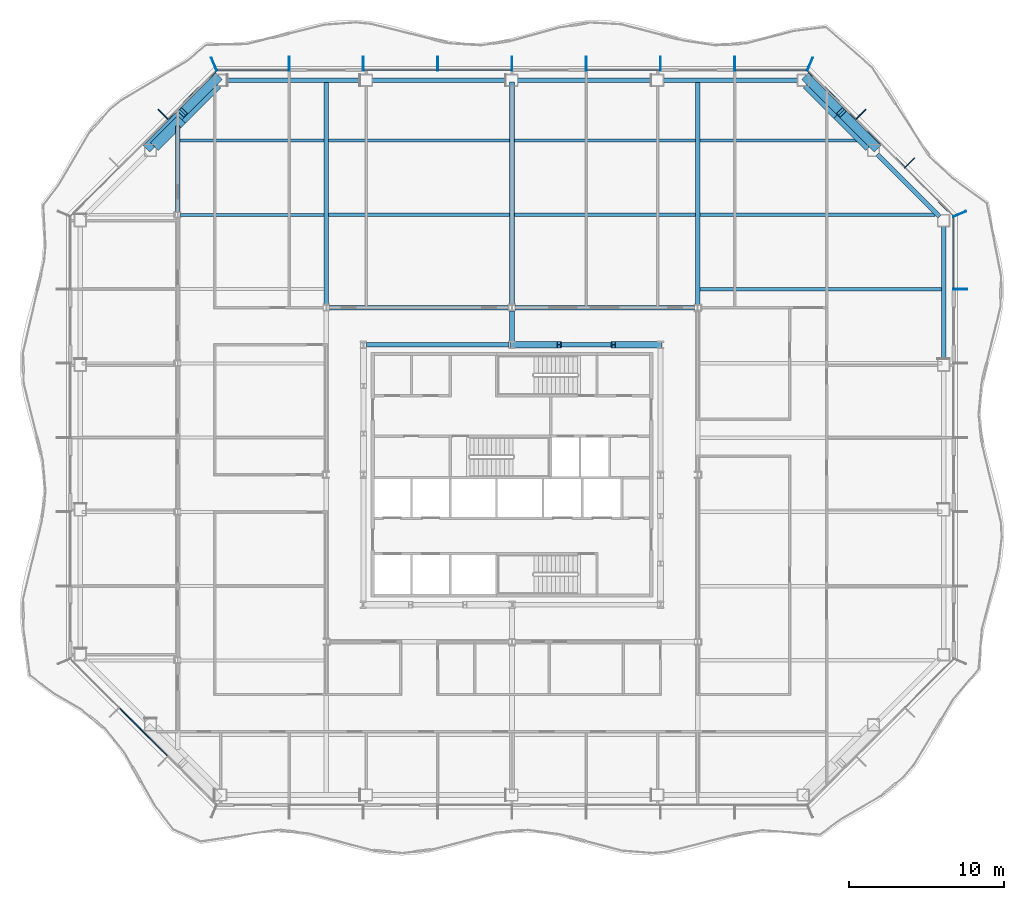
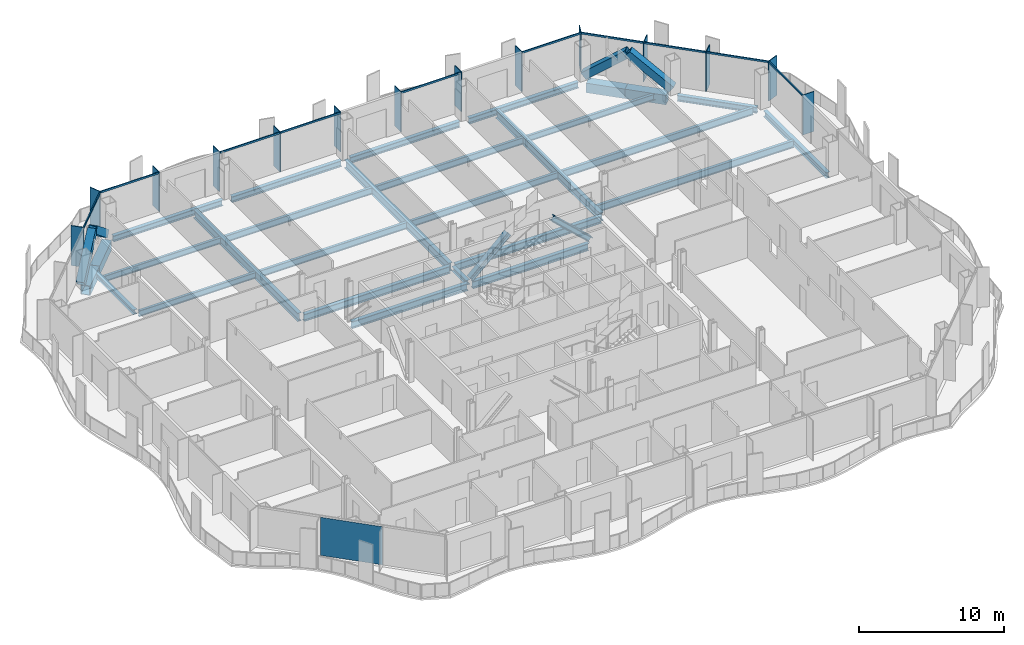
# One storey, part 5 of 23: 30 members, 28 beams, 1 plate, 5 elements without a shape of their own.
"""IFC4 building model written with IfcOpenShell, lengths in metres."""

import ifcopenshell
import ifcopenshell.guid

model = None  # the IFC model being written
_history = None  # IfcOwnerHistory: only IFC2X3 demands one
_inside = {}  # id of a spatial element -> (the spatial element, [elements in it])
_under = {}  # id of a project, library or spatial element -> (it, [spatial elements below it])
_declared = {}  # id of a project -> (the project, [libraries it declares])
_typed = {}  # id of a type object -> (the type object, [elements of that type])
_made_of = {}  # id of a material, layer set ... -> (it, [elements and type objects made of it])


def new_model(schema):
    """Start an empty IFC model of exactly this schema.

    Asked for "IFC4X3", IfcOpenShell would pick the latest addendum, in which some entities
    have other attributes; the version numbers below select the first issue.
    IFC2X3 requires an IfcOwnerHistory on every rooted entity: one is made here for all.
    """
    global model, _history
    if schema == "IFC4X3":
        model = ifcopenshell.file(schema_version=(4, 3, 0, 0))
    else:
        model = ifcopenshell.file(schema=schema)
    _inside.clear()
    _under.clear()
    _declared.clear()
    _typed.clear()
    _made_of.clear()
    _history = None
    if model.schema == "IFC2X3":
        org = make("IfcOrganization", Name="unknown")
        user = make(
            "IfcPersonAndOrganization",
            ThePerson=make("IfcPerson", FamilyName="unknown"),
            TheOrganization=org,
        )
        app = make(
            "IfcApplication",
            ApplicationDeveloper=org,
            Version="unknown",
            ApplicationFullName="unknown",
            ApplicationIdentifier="unknown",
        )
        _history = make(
            "IfcOwnerHistory",
            OwningUser=user,
            OwningApplication=app,
            ChangeAction="ADDED",
            CreationDate=0,
        )
    return model


def make(cls, **values):
    """One entity of the class cls with the attributes given. An attribute that is None is left unset."""
    return model.create_entity(
        cls, **{name: value for name, value in values.items() if value is not None}
    )


def rooted(cls, **values):
    """An entity with a GlobalId (a new one), such as an element, a storey or a relation."""
    return make(cls, GlobalId=ifcopenshell.guid.new(), OwnerHistory=_history, **values)


def si_unit(unit_type, name, prefix=None):
    """IfcSIUnit, for example si_unit("LENGTHUNIT", "METRE", prefix="MILLI")."""
    return make("IfcSIUnit", UnitType=unit_type, Prefix=prefix, Name=name)


def assignment(units):
    """IfcUnitAssignment: the units of a project."""
    return None if units is None else make("IfcUnitAssignment", Units=units)


def point(xyz):
    """IfcCartesianPoint."""
    return None if xyz is None else make("IfcCartesianPoint", Coordinates=xyz)


def direction(xyz):
    """IfcDirection."""
    return None if xyz is None else make("IfcDirection", DirectionRatios=xyz)


def frame(location, z_axis=None, x_axis=None):
    """IfcAxis2Placement3D, a coordinate frame: its origin and axes. An axis left out is left unset."""
    return make(
        "IfcAxis2Placement3D",
        Location=point(location),
        Axis=direction(z_axis),
        RefDirection=direction(x_axis),
    )


def frame_2d(location, x_axis=None):
    """IfcAxis2Placement2D, a coordinate frame in the plane: its origin and x axis."""
    return make(
        "IfcAxis2Placement2D", Location=point(location), RefDirection=direction(x_axis)
    )


def origin():
    """The frame at (0, 0, 0) with its axes left unset."""
    return frame((0.0, 0.0, 0.0))


def origin_2d():
    """The frame at (0, 0) in the plane with its x axis left unset."""
    return frame_2d((0.0, 0.0))


def place(relative_to, where):
    """IfcLocalPlacement: puts the frame where relative to a parent placement (None: the world)."""
    return make(
        "IfcLocalPlacement", PlacementRelTo=relative_to, RelativePlacement=where
    )


def context(
    kind, dimensions, precision=None, world=None, true_north=None, identifier=None
):
    """IfcGeometricRepresentationContext, for example the 3D "Model" context."""
    return make(
        "IfcGeometricRepresentationContext",
        ContextIdentifier=identifier,
        ContextType=kind,
        CoordinateSpaceDimension=dimensions,
        Precision=precision,
        WorldCoordinateSystem=world,
        TrueNorth=true_north,
    )


def subcontext(parent, identifier, kind, view, scale=None):
    """IfcGeometricRepresentationSubContext, for example "Body" below "Model"."""
    return make(
        "IfcGeometricRepresentationSubContext",
        ContextIdentifier=identifier,
        ContextType=kind,
        ParentContext=parent,
        TargetScale=scale,
        TargetView=view,
    )


def project(units=None, contexts=None):
    """IfcProject with its units and contexts."""
    return rooted(
        "IfcProject",
        Name="project",
        RepresentationContexts=contexts,
        UnitsInContext=assignment(units),
    )


def spatial(cls, under=None, at=None, **own):
    """A site, building, storey or space (cls), placed at a placement, below another one or the project."""
    s = rooted(cls, ObjectPlacement=at, **own)
    if under is not None:
        _under.setdefault(under.id(), (under, []))[1].append(s)
    return s


def profile(cls, at=None, kind="AREA", **sizes):
    """A parametric profile (cls). Its sizes go by their IFC names, for example OverallWidth=200.0."""
    return make(cls, ProfileType=kind, Position=at, **sizes)


def rectangle(**sizes):
    """IfcRectangleProfileDef."""
    return profile("IfcRectangleProfileDef", **sizes)


def hollow_rectangle(**sizes):
    """IfcRectangleHollowProfileDef."""
    return profile("IfcRectangleHollowProfileDef", **sizes)


def i_section(**sizes):
    """IfcIShapeProfileDef."""
    return profile("IfcIShapeProfileDef", **sizes)


def extrude(swept, where, along, depth):
    """IfcExtrudedAreaSolid: the profile swept, set in the frame where, extruded along a direction by depth."""
    return make(
        "IfcExtrudedAreaSolid",
        SweptArea=swept,
        Position=where,
        ExtrudedDirection=direction(along),
        Depth=depth,
    )


def shape(context_of_items, identifier, shape_type, items):
    """IfcShapeRepresentation: the items that make up one representation, for example the "Body"."""
    return make(
        "IfcShapeRepresentation",
        ContextOfItems=context_of_items,
        RepresentationIdentifier=identifier,
        RepresentationType=shape_type,
        Items=items,
    )


def material(Name=None, Category=None):
    """IfcMaterial."""
    return make("IfcMaterial", Name=Name, Category=Category)


def layer(
    of_material, thickness, ventilated=None, Name=None, Category=None, Priority=None
):
    """IfcMaterialLayer: one layer of a wall or slab, of a material (None: an air gap)."""
    return make(
        "IfcMaterialLayer",
        Material=of_material,
        LayerThickness=thickness,
        IsVentilated=ventilated,
        Name=Name,
        Category=Category,
        Priority=Priority,
    )


def layer_set(layers, Name=None):
    """IfcMaterialLayerSet."""
    return make("IfcMaterialLayerSet", MaterialLayers=layers, LayerSetName=Name)


def material_profile(
    of_material, cross_section, Name=None, Category=None, Priority=None
):
    """IfcMaterialProfile: a cross section and its material."""
    return make(
        "IfcMaterialProfile",
        Name=Name,
        Material=of_material,
        Profile=cross_section,
        Priority=Priority,
        Category=Category,
    )


def profile_set(profiles, Name=None, composite=None):
    """IfcMaterialProfileSet."""
    return make(
        "IfcMaterialProfileSet",
        Name=Name,
        MaterialProfiles=profiles,
        CompositeProfile=composite,
    )


def made_of(thing, what):
    """Note that an element or type object is made of a material, layer set ...; save() writes the relation."""
    if what is not None:
        _made_of.setdefault(what.id(), (what, []))[1].append(thing)
    return thing


def type_object(cls, material=None, **own):
    """A type object (cls), such as IfcWallType, which elements share."""
    return made_of(rooted(cls, **own), material)


def element(
    cls,
    number,
    at=None,
    inside=None,
    cuts=None,
    type_object=None,
    material=None,
    context=None,
    identifier="Body",
    shape_type=None,
    held_by="IfcProductDefinitionShape",
    body=None,
    shapes=None,
    **own,
):
    """One element of the class cls, such as IfcWall. Its Tag is "e" and its number.

    at: its placement. inside: the storey or other place that contains it. cuts: it is an
    opening in that element (IfcRelVoidsElement). A single representation is given by context,
    identifier, shape_type and body (its items); several are given by shapes. held_by: the class
    of the entity that holds the representations. save() writes the other relations.
    """
    e = rooted(cls, Tag="e%d" % number, ObjectPlacement=at, **own)
    if body is not None:
        shapes = [shape(context, identifier, shape_type, body)]
    if shapes is not None:
        e.Representation = make(held_by, Representations=shapes)
    if inside is not None:
        _inside.setdefault(inside.id(), (inside, []))[1].append(e)
    if cuts is not None:
        rooted(
            "IfcRelVoidsElement", RelatingBuildingElement=cuts, RelatedOpeningElement=e
        )
    if type_object is not None:
        _typed.setdefault(type_object.id(), (type_object, []))[1].append(e)
    return made_of(e, material)


def aggregate(whole, parts):
    """IfcRelAggregates: a whole, such as a stair, and the parts it consists of."""
    return rooted("IfcRelAggregates", RelatingObject=whole, RelatedObjects=parts)


def save(model, path):
    """Write the relations noted so far, then the file.

    IfcRelAggregates (storeys below a building ...), IfcRelContainedInSpatialStructure (elements
    in a storey), IfcRelDefinesByType, IfcRelAssociatesMaterial and IfcRelDeclares: one each for
    every whole, place, type object, material and project.
    """
    for whole, parts in _under.values():
        aggregate(whole, parts)
    for where, things in _inside.values():
        rooted(
            "IfcRelContainedInSpatialStructure",
            RelatedElements=things,
            RelatingStructure=where,
        )
    for kind, things in _typed.values():
        rooted("IfcRelDefinesByType", RelatedObjects=things, RelatingType=kind)
    for what, things in _made_of.values():
        rooted("IfcRelAssociatesMaterial", RelatedObjects=things, RelatingMaterial=what)
    for by, libraries in _declared.values():
        rooted("IfcRelDeclares", RelatingContext=by, RelatedDefinitions=libraries)
    model.write(path)


model = new_model("IFC4")

# Units and contexts
model_context = context("Model", 3, precision=1e-05, world=origin(), true_north=direction((0.0, 1.0)))
body_context = subcontext(model_context, "Body", "Model", "MODEL_VIEW")
ifc_project = project(units=[si_unit("LENGTHUNIT", "METRE"), si_unit("AREAUNIT", "SQUARE_METRE"), si_unit("VOLUMEUNIT", "CUBIC_METRE"), si_unit("PLANEANGLEUNIT", "RADIAN"), si_unit("MASSUNIT", "GRAM", prefix="KILO")], contexts=[model_context])

# Site, building, storey
site_placement = place(None, origin())
site = spatial("IfcSite", under=ifc_project, at=site_placement, CompositionType="ELEMENT")
building_placement = place(site_placement, origin())
building = spatial("IfcBuilding", under=site, at=building_placement, Name="Cairn Pilgrim Tower", CompositionType="ELEMENT")
storey_placement = place(building_placement, frame((0.0, 0.0, 115.800048828125)))
storey = spatial("IfcBuildingStorey", under=building, at=storey_placement, Name="L28", CompositionType="ELEMENT", Elevation=115.800048828125)

# Members
ifc_material_1 = material(Name="Structural steel S460M", Category="steel")
ifc_material_profile_1 = material_profile(ifc_material_1, hollow_rectangle(XDim=0.60009765625, YDim=0.60009765625, WallThickness=0.034912109375, at=origin_2d()), Name="BOX 600x600x35")
ifc_profile_set_1 = profile_set([ifc_material_profile_1], Name="Structural steel S460M")
member_type_1 = type_object("IfcMemberType", Name="BOX 600x600x35 BRACE", PredefinedType="BRACE", material=ifc_profile_set_1)
for number, where, z_axis, x_axis, name in (
    (1, (30.6943359375, 23.607666015625, 0.14990234375), (-0.558073844199, 0.558073844199, 0.6140905217), (-0.707106781187, -0.707106781187, 0.0), "XB-NE2-N1-1"),
    (2, (26.271240234375, 28.03076171875, 0.14990234375), (0.558073844199, -0.558073844199, 0.6140905217), (0.707106781187, 0.707106781187, 0.0), "XB-NE2-N1-2"),
):
    element("IfcMember", number, at=place(storey_placement, frame(where, z_axis=z_axis, x_axis=x_axis)), inside=storey, type_object=member_type_1, Name=name, PredefinedType="BRACE", context=body_context, shape_type="SweptSolid", body=[
        extrude(hollow_rectangle(XDim=0.60009765625, YDim=0.60009765625, WallThickness=0.034912109375, at=origin_2d()), origin(), (0.0, 0.0, 1.0), 3.966064453125),
    ])
member_1_placement = place(storey_placement, frame((-11.87109375, 28.03076171875, 0.14990234375), z_axis=(-0.558116227162, -0.558054672489, 0.614069425628), x_axis=(0.707067784535, -0.707145775687, 0.0)))
element("IfcMember", 3, at=member_1_placement, inside=storey, type_object=member_type_1, Name="XB-NW1-NW2-1", PredefinedType="BRACE", context=body_context, shape_type="SweptSolid", body=[
    extrude(hollow_rectangle(XDim=0.60009765625, YDim=0.60009765625, WallThickness=0.034912109375, at=origin_2d()), origin(), (0.0, 0.0, 1.0), 3.96630859375),
])
member_2_placement = place(storey_placement, frame((-16.29443359375, 23.607666015625, 0.14990234375), z_axis=(0.558073844199, 0.558073844199, 0.6140905217), x_axis=(-0.707106781187, 0.707106781187, 0.0)))
element("IfcMember", 4, at=member_2_placement, inside=storey, type_object=member_type_1, Name="XB-NW1-NW2-2", PredefinedType="BRACE", context=body_context, shape_type="SweptSolid", body=[
    extrude(hollow_rectangle(XDim=0.60009765625, YDim=0.60009765625, WallThickness=0.034912109375, at=origin_2d()), origin(), (0.0, 0.0, 1.0), 3.966064453125),
])

# Beams
ifc_material_2 = material(Name="Structural steel S355J2", Category="steel")
ifc_material_profile_2 = material_profile(ifc_material_2, hollow_rectangle(XDim=0.699951171875, YDim=0.800048828125, WallThickness=0.0400390625, at=origin_2d()), Name="BOX 700x800x40")
ifc_profile_set_2 = profile_set([ifc_material_profile_2], Name="Structural steel S355J2")
beam_type_1 = type_object("IfcBeamType", Name="BOX 700x800x40 RING GIRDER", PredefinedType="SPANDREL", material=ifc_profile_set_2)
beam_1_placement = place(storey_placement, frame((30.30908203125, 23.6181640625, -0.550048828125), z_axis=(-0.707106781187, 0.707106781187, 0.0), x_axis=(-0.707106781187, -0.707106781187, 0.0)))
element("IfcBeam", 5, at=beam_1_placement, inside=storey, type_object=beam_type_1, Name="RG1-NE2-N1-1", PredefinedType="SPANDREL", context=body_context, shape_type="SweptSolid", body=[
    extrude(hollow_rectangle(XDim=0.699951171875, YDim=0.800048828125, WallThickness=0.0400390625, at=origin_2d()), origin(), (0.0, 0.0, 1.0), 2.92333984375),
])
beam_2_placement = place(storey_placement, frame((28.241943359375, 25.685302734375, -0.550048828125), z_axis=(-0.707106781187, 0.707106781187, 0.0), x_axis=(-0.707106781187, -0.707106781187, 0.0)))
element("IfcBeam", 6, at=beam_2_placement, inside=storey, type_object=beam_type_1, Name="RG1-NE2-N1-2", PredefinedType="SPANDREL", context=body_context, shape_type="SweptSolid", body=[
    extrude(hollow_rectangle(XDim=0.699951171875, YDim=0.800048828125, WallThickness=0.0400390625, at=origin_2d()), origin(), (0.0, 0.0, 1.0), 2.772216796875),
])
beam_3_placement = place(storey_placement, frame((-11.8818359375, 27.6455078125, -0.550048828125), z_axis=(-0.707106781187, -0.707106781187, 0.0), x_axis=(0.707106781187, -0.707106781187, 0.0)))
element("IfcBeam", 7, at=beam_3_placement, inside=storey, type_object=beam_type_1, Name="RG1-NW1-NW2-1", PredefinedType="SPANDREL", context=body_context, shape_type="SweptSolid", body=[
    extrude(hollow_rectangle(XDim=0.699951171875, YDim=0.800048828125, WallThickness=0.0400390625, at=origin_2d()), origin(), (0.0, 0.0, 1.0), 3.2255859375),
])
beam_4_placement = place(storey_placement, frame((-14.16259765625, 25.36474609375, -0.550048828125), z_axis=(-0.707057355626, -0.707156203292, 0.0), x_axis=(0.707156203292, -0.707057355626, 0.0)))
element("IfcBeam", 8, at=beam_4_placement, inside=storey, type_object=beam_type_1, Name="RG1-NW1-NW2-2", PredefinedType="SPANDREL", context=body_context, shape_type="SweptSolid", body=[
    extrude(hollow_rectangle(XDim=0.699951171875, YDim=0.800048828125, WallThickness=0.0400390625, at=origin_2d()), origin(), (0.0, 0.0, 1.0), 2.469970703125),
])

# Curtain wall, member
ifc_material_3 = material(Name="Aluminium alloy 6063-T6 bronze anodised with Bronze tinted laminated low-E glass 8+16+8.8", Category="aluminium")
curtain_wall_type_1 = type_object("IfcCurtainWallType", Name="TOWER STICK CURTAIN WALL EW", PredefinedType="NOTDEFINED", material=ifc_material_3)
curtain_wall_1_placement = place(storey_placement, origin())
curtain_wall_1 = element("IfcCurtainWall", 9, at=curtain_wall_1_placement, inside=storey, type_object=curtain_wall_type_1, Name="Tower Stick Curtain Wall Ew E", PredefinedType="NOTDEFINED")
ifc_material_4 = material(Name="Aluminium alloy 6063-T6 bronze anodised", Category="aluminium")
ifc_material_profile_3 = material_profile(ifc_material_4, rectangle(XDim=0.89990234375, YDim=0.06005859375, at=origin_2d()), Name="FIN MULLION 60x900 BRONZE")
ifc_profile_set_3 = profile_set([ifc_material_profile_3], Name="Aluminium alloy 6063-T6 bronze anodised")
member_type_2 = type_object("IfcMemberType", Name="FIN MULLION 60x900 BRONZE", PredefinedType="MULLION", material=ifc_profile_set_3)
member_3_placement = place(storey_placement, frame((36.169921875, 14.39990234375, 0.0), z_axis=(0.0, 0.0, 1.0), x_axis=(1.0, 0.0, 0.0)))
member_3 = element("IfcMember", 10, at=member_3_placement, type_object=member_type_2, Name="Fin mullion E6", PredefinedType="MULLION", context=body_context, shape_type="SweptSolid", body=[
    extrude(rectangle(XDim=0.89990234375, YDim=0.06005859375, at=origin_2d()), origin(), (0.0, 0.0, 1.0), 3.349853515625),
])

# Curtain wall, members
curtain_wall_type_2 = type_object("IfcCurtainWallType", Name="CHAMFER CORNER CURTAIN WALL", PredefinedType="NOTDEFINED", material=ifc_material_3)
curtain_wall_2_placement = place(storey_placement, origin())
curtain_wall_2 = element("IfcCurtainWall", 11, at=curtain_wall_2_placement, inside=storey, type_object=curtain_wall_type_2, Name="Chamfer Corner Curtain Wall NE", PredefinedType="NOTDEFINED")
member_4_placement = place(storey_placement, frame((36.137939453125, 19.257080078125, 0.0), z_axis=(0.0, 0.0, 1.0), x_axis=(0.923879532511, 0.382683432365, 0.0)))
member_4 = element("IfcMember", 12, at=member_4_placement, type_object=member_type_2, Name="Fin mullion NE1", PredefinedType="MULLION", context=body_context, shape_type="SweptSolid", body=[
    extrude(rectangle(XDim=0.89990234375, YDim=0.06005859375, at=origin_2d()), origin(), (0.0, 0.0, 1.0), 3.349853515625),
])
member_5_placement = place(storey_placement, frame((32.895751953125, 22.544677734375, 0.0), z_axis=(0.0, 0.0, 1.0), x_axis=(0.707106781187, 0.707106781187, 0.0)))
member_5 = element("IfcMember", 13, at=member_5_placement, type_object=member_type_2, Name="Fin mullion NE2", PredefinedType="MULLION", context=body_context, shape_type="SweptSolid", body=[
    extrude(rectangle(XDim=0.89990234375, YDim=0.06005859375, at=origin_2d()), origin(), (0.0, 0.0, 1.0), 3.349853515625),
])
member_6_placement = place(storey_placement, frame((29.74462890625, 25.69580078125, 0.0), z_axis=(0.0, 0.0, 1.0), x_axis=(0.707106781187, 0.707106781187, 0.0)))
member_6 = element("IfcMember", 14, at=member_6_placement, type_object=member_type_2, Name="Fin mullion NE3", PredefinedType="MULLION", context=body_context, shape_type="SweptSolid", body=[
    extrude(rectangle(XDim=0.89990234375, YDim=0.06005859375, at=origin_2d()), origin(), (0.0, 0.0, 1.0), 3.349853515625),
])

curtain_wall_type_3 = type_object("IfcCurtainWallType", Name="TOWER STICK CURTAIN WALL NS", PredefinedType="NOTDEFINED", material=ifc_material_3)
curtain_wall_3_placement = place(storey_placement, origin())
curtain_wall_3 = element("IfcCurtainWall", 15, at=curtain_wall_3_placement, inside=storey, type_object=curtain_wall_type_3, Name="Tower Stick Curtain Wall Ns N", PredefinedType="NOTDEFINED")
member_7_placement = place(storey_placement, frame((26.457275390625, 28.93798828125, 0.0), z_axis=(0.0, 0.0, 1.0), x_axis=(0.382683432365, 0.923879532511, 0.0)))
member_7 = element("IfcMember", 16, at=member_7_placement, type_object=member_type_2, Name="Fin mullion N1", PredefinedType="MULLION", context=body_context, shape_type="SweptSolid", body=[
    extrude(rectangle(XDim=0.89990234375, YDim=0.06005859375, at=origin_2d()), origin(), (0.0, 0.0, 1.0), 3.349853515625),
])
member_8_placement = place(storey_placement, frame((21.60009765625, 28.969970703125, 0.0), z_axis=(0.0, 0.0, 1.0), x_axis=(0.0, 1.0, 0.0)))
member_8 = element("IfcMember", 17, at=member_8_placement, type_object=member_type_2, Name="Fin mullion N2", PredefinedType="MULLION", context=body_context, shape_type="SweptSolid", body=[
    extrude(rectangle(XDim=0.89990234375, YDim=0.06005859375, at=origin_2d()), origin(), (0.0, 0.0, 1.0), 3.349853515625),
])
member_9_placement = place(storey_placement, frame((16.800048828125, 28.969970703125, 0.0), z_axis=(0.0, 0.0, 1.0), x_axis=(0.0, 1.0, 0.0)))
member_9 = element("IfcMember", 18, at=member_9_placement, type_object=member_type_2, Name="Fin mullion N3", PredefinedType="MULLION", context=body_context, shape_type="SweptSolid", body=[
    extrude(rectangle(XDim=0.89990234375, YDim=0.06005859375, at=origin_2d()), origin(), (0.0, 0.0, 1.0), 3.349853515625),
])
member_10_placement = place(storey_placement, frame((12.0, 28.969970703125, 0.0), z_axis=(0.0, 0.0, 1.0), x_axis=(0.0, 1.0, 0.0)))
member_10 = element("IfcMember", 19, at=member_10_placement, type_object=member_type_2, Name="Fin mullion N4", PredefinedType="MULLION", context=body_context, shape_type="SweptSolid", body=[
    extrude(rectangle(XDim=0.89990234375, YDim=0.06005859375, at=origin_2d()), origin(), (0.0, 0.0, 1.0), 3.349853515625),
])
member_11_placement = place(storey_placement, frame((7.199951171875, 28.969970703125, 0.0), z_axis=(0.0, 0.0, 1.0), x_axis=(0.0, 1.0, 0.0)))
member_11 = element("IfcMember", 20, at=member_11_placement, type_object=member_type_2, Name="Fin mullion N5", PredefinedType="MULLION", context=body_context, shape_type="SweptSolid", body=[
    extrude(rectangle(XDim=0.89990234375, YDim=0.06005859375, at=origin_2d()), origin(), (0.0, 0.0, 1.0), 3.349853515625),
])
member_12_placement = place(storey_placement, frame((2.39990234375, 28.969970703125, 0.0), z_axis=(0.0, 0.0, 1.0), x_axis=(0.0, 1.0, 0.0)))
member_12 = element("IfcMember", 21, at=member_12_placement, type_object=member_type_2, Name="Fin mullion N6", PredefinedType="MULLION", context=body_context, shape_type="SweptSolid", body=[
    extrude(rectangle(XDim=0.89990234375, YDim=0.06005859375, at=origin_2d()), origin(), (0.0, 0.0, 1.0), 3.349853515625),
])
member_13_placement = place(storey_placement, frame((-2.39990234375, 28.969970703125, 0.0), z_axis=(0.0, 0.0, 1.0), x_axis=(0.0, 1.0, 0.0)))
member_13 = element("IfcMember", 22, at=member_13_placement, type_object=member_type_2, Name="Fin mullion N7", PredefinedType="MULLION", context=body_context, shape_type="SweptSolid", body=[
    extrude(rectangle(XDim=0.89990234375, YDim=0.06005859375, at=origin_2d()), origin(), (0.0, 0.0, 1.0), 3.349853515625),
])
member_14_placement = place(storey_placement, frame((-7.199951171875, 28.969970703125, 0.0), z_axis=(0.0, 0.0, 1.0), x_axis=(0.0, 1.0, 0.0)))
member_14 = element("IfcMember", 23, at=member_14_placement, type_object=member_type_2, Name="Fin mullion N8", PredefinedType="MULLION", context=body_context, shape_type="SweptSolid", body=[
    extrude(rectangle(XDim=0.89990234375, YDim=0.06005859375, at=origin_2d()), origin(), (0.0, 0.0, 1.0), 3.349853515625),
])

curtain_wall_4_placement = place(storey_placement, origin())
curtain_wall_4 = element("IfcCurtainWall", 24, at=curtain_wall_4_placement, inside=storey, type_object=curtain_wall_type_2, Name="Chamfer Corner Curtain Wall NW", PredefinedType="NOTDEFINED")
member_15_placement = place(storey_placement, frame((-12.05712890625, 28.93798828125, 0.0), z_axis=(0.0, 0.0, 1.0), x_axis=(-0.382683432365, 0.923879532511, 0.0)))
member_15 = element("IfcMember", 25, at=member_15_placement, type_object=member_type_2, Name="Fin mullion NW1", PredefinedType="MULLION", context=body_context, shape_type="SweptSolid", body=[
    extrude(rectangle(XDim=0.89990234375, YDim=0.06005859375, at=origin_2d()), origin(), (0.0, 0.0, 1.0), 3.349853515625),
])
member_16_placement = place(storey_placement, frame((-15.3447265625, 25.69580078125, 0.0), z_axis=(0.0, 0.0, 1.0), x_axis=(-0.707106781187, 0.707106781187, 0.0)))
member_16 = element("IfcMember", 26, at=member_16_placement, type_object=member_type_2, Name="Fin mullion NW2", PredefinedType="MULLION", context=body_context, shape_type="SweptSolid", body=[
    extrude(rectangle(XDim=0.89990234375, YDim=0.06005859375, at=origin_2d()), origin(), (0.0, 0.0, 1.0), 3.349853515625),
])

# Members
ifc_material_profile_4 = material_profile(ifc_material_1, i_section(OverallWidth=0.408935546875, OverallDepth=0.425048828125, WebThickness=0.03271484375, FlangeThickness=0.052490234375, FilletRadius=0.014892578125, at=origin_2d()), Name="HD 400x421")
ifc_profile_set_4 = profile_set([ifc_material_profile_4], Name="Structural steel S460M")
member_type_3 = type_object("IfcMemberType", Name="HD 400x421 BRACE", PredefinedType="BRACE", material=ifc_profile_set_4)
for number, where, z_axis, x_axis, name in (
    (27, (16.757568359375, 10.800048828125, 0.099853515625), (-0.730825673331, 0.0, 0.682564161966), (0.0, -1.0, 0.0), "KB-3A"),
    (28, (7.242431640625, 10.800048828125, 0.099853515625), (0.730825673331, 0.0, 0.682564161966), (0.0, 1.0, 0.0), "KB-3B"),
):
    element("IfcMember", number, at=place(storey_placement, frame(where, z_axis=z_axis, x_axis=x_axis)), inside=storey, type_object=member_type_3, Name=name, PredefinedType="BRACE", context=body_context, shape_type="SweptSolid", body=[
        extrude(i_section(OverallWidth=0.408935546875, OverallDepth=0.425048828125, WebThickness=0.03271484375, FlangeThickness=0.052490234375, FilletRadius=0.014892578125, at=origin_2d()), origin(), (0.0, 0.0, 1.0), 4.1025390625),
    ])

# Beams
ifc_material_profile_5 = material_profile(ifc_material_2, i_section(OverallWidth=0.300048828125, OverallDepth=0.39990234375, WebThickness=0.013427734375, FlangeThickness=0.02392578125, FilletRadius=0.027099609375, at=origin_2d()), Name="HEB 400")
ifc_profile_set_5 = profile_set([ifc_material_profile_5], Name="Structural steel S355J2")
beam_type_2 = type_object("IfcBeamType", Name="HEB 400 GIRDER", PredefinedType="BEAM", material=ifc_profile_set_5)
beam_5_placement = place(storey_placement, frame((-14.39990234375, 19.3994140625, -0.35009765625), z_axis=(0.0, 1.0, 0.0), x_axis=(-1.0, 0.0, 0.0)))
element("IfcBeam", 29, at=beam_5_placement, inside=storey, type_object=beam_type_2, Name="PG1-5", PredefinedType="BEAM", context=body_context, shape_type="SweptSolid", body=[
    extrude(i_section(OverallWidth=0.300048828125, OverallDepth=0.39990234375, WebThickness=0.013427734375, FlangeThickness=0.02392578125, FilletRadius=0.027099609375, at=origin_2d()), origin(), (0.0, 0.0, 1.0), 5.545654296875),
])
beam_6_placement = place(storey_placement, frame((7.199951171875, 11.011962890625, -0.35009765625), z_axis=(0.0, 1.0, 0.0), x_axis=(-1.0, 0.0, 0.0)))
element("IfcBeam", 30, at=beam_6_placement, inside=storey, type_object=beam_type_2, Name="PG3-E2", PredefinedType="BEAM", context=body_context, shape_type="SweptSolid", body=[
    extrude(i_section(OverallWidth=0.300048828125, OverallDepth=0.39990234375, WebThickness=0.013427734375, FlangeThickness=0.02392578125, FilletRadius=0.027099609375, at=origin_2d()), origin(), (0.0, 0.0, 1.0), 1.983642578125),
])
ifc_material_profile_6 = material_profile(ifc_material_2, i_section(OverallWidth=0.300048828125, OverallDepth=0.5, WebThickness=0.014404296875, FlangeThickness=0.028076171875, FilletRadius=0.027099609375, at=origin_2d()), Name="HEB 500")
ifc_profile_set_6 = profile_set([ifc_material_profile_6], Name="Structural steel S355J2")
beam_type_3 = type_object("IfcBeamType", Name="HEB 500 RING GIRDER", PredefinedType="SPANDREL", material=ifc_profile_set_6)
beam_7_placement = place(storey_placement, frame((35.10009765625, 9.835693359375, -0.400146484375), z_axis=(0.0, 1.0, 0.0), x_axis=(-1.0, 0.0, 0.0)))
element("IfcBeam", 31, at=beam_7_placement, inside=storey, type_object=beam_type_3, Name="RG1-E3-NE1", PredefinedType="SPANDREL", context=body_context, shape_type="SweptSolid", body=[
    extrude(i_section(OverallWidth=0.300048828125, OverallDepth=0.5, WebThickness=0.014404296875, FlangeThickness=0.028076171875, FilletRadius=0.027099609375, at=origin_2d()), origin(), (0.0, 0.0, 1.0), 8.631591796875),
])
beam_8_placement = place(storey_placement, frame((34.845458984375, 19.081787109375, -0.400146484375), z_axis=(-0.707128214185, 0.707085347538, 0.0), x_axis=(-0.707085347538, -0.707128214185, 0.0)))
element("IfcBeam", 32, at=beam_8_placement, inside=storey, type_object=beam_type_3, Name="RG1-NE1-NE2", PredefinedType="SPANDREL", context=body_context, shape_type="SweptSolid", body=[
    extrude(i_section(OverallWidth=0.300048828125, OverallDepth=0.5, WebThickness=0.014404296875, FlangeThickness=0.028076171875, FilletRadius=0.027099609375, at=origin_2d()), origin(), (0.0, 0.0, 1.0), 5.6953125),
])
for number, where, z_axis, x_axis, name in (
    (33, (25.667236328125, 27.89990234375, -0.400146484375), (-1.0, 0.0, 0.0), (0.0, -1.0, 0.0), "RG1-N1-N2"),
    (34, (16.253662109375, 27.89990234375, -0.400146484375), (-1.0, 0.0, 0.0), (0.0, -1.0, 0.0), "RG1-N2-N3"),
    (35, (6.840087890625, 27.89990234375, -0.400146484375), (-1.0, 0.0, 0.0), (0.0, -1.0, 0.0), "RG1-N3-N4"),
    (36, (-2.573486328125, 27.89990234375, -0.400146484375), (-1.0, 0.0, 0.0), (0.0, -1.0, 0.0), "RG1-N4-NW1"),
):
    element("IfcBeam", number, at=place(storey_placement, frame(where, z_axis=z_axis, x_axis=x_axis)), inside=storey, type_object=beam_type_3, Name=name, PredefinedType="SPANDREL", context=body_context, shape_type="SweptSolid", body=[
        extrude(i_section(OverallWidth=0.300048828125, OverallDepth=0.5, WebThickness=0.014404296875, FlangeThickness=0.028076171875, FilletRadius=0.027099609375, at=origin_2d()), origin(), (0.0, 0.0, 1.0), 8.693603515625),
    ])
ifc_material_profile_7 = material_profile(ifc_material_2, i_section(OverallWidth=0.300048828125, OverallDepth=0.60009765625, WebThickness=0.015380859375, FlangeThickness=0.030029296875, FilletRadius=0.027099609375, at=origin_2d()), Name="HEB 600")
ifc_profile_set_7 = profile_set([ifc_material_profile_7], Name="Structural steel S355J2")
beam_type_4 = type_object("IfcBeamType", Name="HEB 600 CORE BEAM", PredefinedType="BEAM", material=ifc_profile_set_7)
beam_9_placement = place(storey_placement, frame((16.609130859375, 10.800048828125, -0.449951171875), z_axis=(-1.0, 0.0, 0.0), x_axis=(0.0, -1.0, 0.0)))
element("IfcBeam", 37, at=beam_9_placement, inside=storey, type_object=beam_type_4, Name="CB-5", PredefinedType="BEAM", context=body_context, shape_type="SweptSolid", body=[
    extrude(i_section(OverallWidth=0.300048828125, OverallDepth=0.60009765625, WebThickness=0.015380859375, FlangeThickness=0.030029296875, FilletRadius=0.027099609375, at=origin_2d()), origin(), (0.0, 0.0, 1.0), 9.21826171875),
])
beam_10_placement = place(storey_placement, frame((7.00927734375, 10.800048828125, -0.449951171875), z_axis=(-1.0, 0.0, 0.0), x_axis=(0.0, -1.0, 0.0)))
element("IfcBeam", 38, at=beam_10_placement, inside=storey, type_object=beam_type_4, Name="CB-6", PredefinedType="BEAM", context=body_context, shape_type="SweptSolid", body=[
    extrude(i_section(OverallWidth=0.300048828125, OverallDepth=0.60009765625, WebThickness=0.015380859375, FlangeThickness=0.030029296875, FilletRadius=0.027099609375, at=origin_2d()), origin(), (0.0, 0.0, 1.0), 9.218505859375),
])
ifc_material_profile_8 = material_profile(ifc_material_2, i_section(OverallWidth=0.300048828125, OverallDepth=0.60009765625, WebThickness=0.015380859375, FlangeThickness=0.030029296875, FilletRadius=0.027099609375, at=origin_2d()), Name="HEB 600")
ifc_profile_set_8 = profile_set([ifc_material_profile_8], Name="Structural steel S355J2")
beam_type_5 = type_object("IfcBeamType", Name="HEB 600 INNER GIRDER", PredefinedType="BEAM", material=ifc_profile_set_8)
for number, where, z_axis, x_axis, name in (
    (39, (-4.595458984375, 13.199951171875, -0.449951171875), (1.0, 0.0, 0.0), (0.0, 1.0, 0.0), "IG2-1"),
    (40, (7.404541015625, 13.199951171875, -0.449951171875), (1.0, 0.0, 0.0), (0.0, 1.0, 0.0), "IG2-2"),
):
    element("IfcBeam", number, at=place(storey_placement, frame(where, z_axis=z_axis, x_axis=x_axis)), inside=storey, type_object=beam_type_5, Name=name, PredefinedType="BEAM", context=body_context, shape_type="SweptSolid", body=[
        extrude(i_section(OverallWidth=0.300048828125, OverallDepth=0.60009765625, WebThickness=0.015380859375, FlangeThickness=0.030029296875, FilletRadius=0.027099609375, at=origin_2d()), origin(), (0.0, 0.0, 1.0), 11.591064453125),
    ])
ifc_material_profile_9 = material_profile(ifc_material_2, i_section(OverallWidth=0.300048828125, OverallDepth=0.699951171875, WebThickness=0.01708984375, FlangeThickness=0.031982421875, FilletRadius=0.027099609375, at=origin_2d()), Name="HEB 700")
ifc_profile_set_9 = profile_set([ifc_material_profile_9], Name="Structural steel S355J2")
beam_type_6 = type_object("IfcBeamType", Name="HEB 700 GIRDER", PredefinedType="BEAM", material=ifc_profile_set_9)
for number, where, z_axis, x_axis, name in (
    (41, (-4.800048828125, 13.404541015625, -0.5), (0.0, 1.0, 0.0), (-1.0, 0.0, 0.0), "PG2-4"),
    (42, (7.199951171875, 13.404541015625, -0.5), (0.0, 1.0, 0.0), (-1.0, 0.0, 0.0), "PG3-2"),
    (43, (19.199951171875, 13.404541015625, -0.5), (0.0, 1.0, 0.0), (-1.0, 0.0, 0.0), "PG4-4"),
):
    element("IfcBeam", number, at=place(storey_placement, frame(where, z_axis=z_axis, x_axis=x_axis)), inside=storey, type_object=beam_type_6, Name=name, PredefinedType="BEAM", context=body_context, shape_type="SweptSolid", body=[
        extrude(i_section(OverallWidth=0.300048828125, OverallDepth=0.699951171875, WebThickness=0.01708984375, FlangeThickness=0.031982421875, FilletRadius=0.027099609375, at=origin_2d()), origin(), (0.0, 0.0, 1.0), 14.37548828125),
    ])
ifc_material_profile_10 = material_profile(ifc_material_2, i_section(OverallWidth=0.199951171875, OverallDepth=0.5, WebThickness=0.01025390625, FlangeThickness=0.01611328125, FilletRadius=0.02099609375, at=origin_2d()), Name="IPE 500")
ifc_profile_set_10 = profile_set([ifc_material_profile_10], Name="Structural steel S355J2")
beam_type_7 = type_object("IfcBeamType", Name="IPE 500 SECONDARY BEAM", PredefinedType="JOIST", material=ifc_profile_set_10)
for number, where, z_axis, x_axis, name in (
    (44, (-14.25, 19.199951171875, -0.400146484375), (1.0, 0.0, 0.0), (0.0, 1.0, 0.0), "SB8-2"),
    (45, (-14.25, 24.0, -0.400146484375), (1.0, 0.0, 0.0), (0.0, 1.0, 0.0), "SB9-1"),
):
    element("IfcBeam", number, at=place(storey_placement, frame(where, z_axis=z_axis, x_axis=x_axis)), inside=storey, type_object=beam_type_7, Name=name, PredefinedType="JOIST", context=body_context, shape_type="SweptSolid", body=[
        extrude(i_section(OverallWidth=0.199951171875, OverallDepth=0.5, WebThickness=0.01025390625, FlangeThickness=0.01611328125, FilletRadius=0.02099609375, at=origin_2d()), origin(), (0.0, 0.0, 1.0), 9.300048828125),
    ])
beam_11_placement = place(storey_placement, frame((19.35009765625, 24.0, -0.400146484375), z_axis=(1.0, 0.0, 0.0), x_axis=(0.0, 1.0, 0.0)))
element("IfcBeam", 46, at=beam_11_placement, inside=storey, type_object=beam_type_7, Name="SB9-4", PredefinedType="JOIST", context=body_context, shape_type="SweptSolid", body=[
    extrude(i_section(OverallWidth=0.199951171875, OverallDepth=0.5, WebThickness=0.01025390625, FlangeThickness=0.01611328125, FilletRadius=0.02099609375, at=origin_2d()), origin(), (0.0, 0.0, 1.0), 10.39501953125),
])
ifc_material_profile_11 = material_profile(ifc_material_2, i_section(OverallWidth=0.2099609375, OverallDepth=0.550048828125, WebThickness=0.010986328125, FlangeThickness=0.01708984375, FilletRadius=0.02392578125, at=origin_2d()), Name="IPE 550")
ifc_profile_set_11 = profile_set([ifc_material_profile_11], Name="Structural steel S355J2")
beam_type_8 = type_object("IfcBeamType", Name="IPE 550 SECONDARY BEAM", PredefinedType="JOIST", material=ifc_profile_set_11)
for number, where, z_axis, x_axis, name in (
    (47, (-4.64990234375, 19.199951171875, -0.425048828125), (1.0, 0.0, 0.0), (0.0, 1.0, 0.0), "SB8-3"),
    (48, (7.35009765625, 19.199951171875, -0.425048828125), (1.0, 0.0, 0.0), (0.0, 1.0, 0.0), "SB8-4"),
    (49, (-4.64990234375, 24.0, -0.425048828125), (1.0, 0.0, 0.0), (0.0, 1.0, 0.0), "SB9-2"),
    (50, (7.35009765625, 24.0, -0.425048828125), (1.0, 0.0, 0.0), (0.0, 1.0, 0.0), "SB9-3"),
):
    element("IfcBeam", number, at=place(storey_placement, frame(where, z_axis=z_axis, x_axis=x_axis)), inside=storey, type_object=beam_type_8, Name=name, PredefinedType="JOIST", context=body_context, shape_type="SweptSolid", body=[
        extrude(i_section(OverallWidth=0.2099609375, OverallDepth=0.550048828125, WebThickness=0.010986328125, FlangeThickness=0.01708984375, FilletRadius=0.02392578125, at=origin_2d()), origin(), (0.0, 0.0, 1.0), 11.699951171875),
    ])
ifc_material_profile_12 = material_profile(ifc_material_2, i_section(OverallWidth=0.219970703125, OverallDepth=0.60009765625, WebThickness=0.011962890625, FlangeThickness=0.01904296875, FilletRadius=0.02392578125, at=origin_2d()), Name="IPE 600")
ifc_profile_set_12 = profile_set([ifc_material_profile_12], Name="Structural steel S355J2")
beam_type_9 = type_object("IfcBeamType", Name="IPE 600 SECONDARY BEAM", PredefinedType="JOIST", material=ifc_profile_set_12)
beam_12_placement = place(storey_placement, frame((19.35009765625, 14.39990234375, -0.449951171875), z_axis=(1.0, 0.0, 0.0), x_axis=(0.0, 1.0, 0.0)))
element("IfcBeam", 51, at=beam_12_placement, inside=storey, type_object=beam_type_9, Name="SB7-3", PredefinedType="JOIST", context=body_context, shape_type="SweptSolid", body=[
    extrude(i_section(OverallWidth=0.219970703125, OverallDepth=0.60009765625, WebThickness=0.011962890625, FlangeThickness=0.01904296875, FilletRadius=0.02392578125, at=origin_2d()), origin(), (0.0, 0.0, 1.0), 15.6298828125),
])
beam_13_placement = place(storey_placement, frame((19.35009765625, 19.199951171875, -0.449951171875), z_axis=(1.0, 0.0, 0.0), x_axis=(0.0, 1.0, 0.0)))
element("IfcBeam", 52, at=beam_13_placement, inside=storey, type_object=beam_type_9, Name="SB8-5", PredefinedType="JOIST", context=body_context, shape_type="SweptSolid", body=[
    extrude(i_section(OverallWidth=0.219970703125, OverallDepth=0.60009765625, WebThickness=0.011962890625, FlangeThickness=0.01904296875, FilletRadius=0.02392578125, at=origin_2d()), origin(), (0.0, 0.0, 1.0), 15.195068359375),
])

# Member
ifc_material_profile_13 = material_profile(ifc_material_4, rectangle(XDim=0.080078125, YDim=0.14990234375, at=origin_2d()), Name="TRANSOM 80x150 BRONZE")
ifc_profile_set_13 = profile_set([ifc_material_profile_13], Name="Aluminium alloy 6063-T6 bronze anodised")
member_type_4 = type_object("IfcMemberType", Name="TRANSOM 80x150 BRONZE", PredefinedType="USERDEFINED", material=ifc_profile_set_13)
member_17_placement = place(storey_placement, frame((35.75, 14.429931640625, 3.27490234375), z_axis=(0.0, 1.0, 0.0), x_axis=(-1.0, 0.0, 0.0)))
member_17 = element("IfcMember", 53, at=member_17_placement, type_object=member_type_4, Name="Transom E6", ObjectType="TRANSOM", PredefinedType="USERDEFINED", context=body_context, shape_type="SweptSolid", body=[
    extrude(rectangle(XDim=0.080078125, YDim=0.14990234375, at=origin_2d()), origin(), (0.0, 0.0, 1.0), 4.62646484375),
])

aggregate(curtain_wall_1, [member_3, member_17])

member_18_placement = place(storey_placement, frame((35.7216796875, 19.124755859375, 3.27490234375), z_axis=(-0.707106781187, 0.707106781187, 0.0), x_axis=(-0.707106781187, -0.707106781187, 0.0)))
member_18 = element("IfcMember", 54, at=member_18_placement, type_object=member_type_4, Name="Transom NE1", ObjectType="TRANSOM", PredefinedType="USERDEFINED", context=body_context, shape_type="SweptSolid", body=[
    extrude(rectangle(XDim=0.080078125, YDim=0.14990234375, at=origin_2d()), origin(), (0.0, 0.0, 1.0), 4.38623046875),
])

member_19_placement = place(storey_placement, frame((32.57763671875, 22.268798828125, 3.27490234375), z_axis=(-0.707106781187, 0.707106781187, 0.0), x_axis=(-0.707106781187, -0.707106781187, 0.0)))
member_19 = element("IfcMember", 55, at=member_19_placement, type_object=member_type_4, Name="Transom NE2", ObjectType="TRANSOM", PredefinedType="USERDEFINED", context=body_context, shape_type="SweptSolid", body=[
    extrude(rectangle(XDim=0.080078125, YDim=0.14990234375, at=origin_2d()), origin(), (0.0, 0.0, 1.0), 4.396728515625),
])

member_20_placement = place(storey_placement, frame((29.426513671875, 25.419921875, 3.27490234375), z_axis=(-0.707106781187, 0.707106781187, 0.0), x_axis=(-0.707106781187, -0.707106781187, 0.0)))
member_20 = element("IfcMember", 56, at=member_20_placement, type_object=member_type_4, Name="Transom NE3", ObjectType="TRANSOM", PredefinedType="USERDEFINED", context=body_context, shape_type="SweptSolid", body=[
    extrude(rectangle(XDim=0.080078125, YDim=0.14990234375, at=origin_2d()), origin(), (0.0, 0.0, 1.0), 4.38671875),
])

aggregate(curtain_wall_2, [member_4, member_5, member_6, member_18, member_19, member_20])

member_21_placement = place(storey_placement, frame((26.25634765625, 28.550048828125, 3.27490234375), z_axis=(-1.0, 0.0, 0.0), x_axis=(0.0, -1.0, 0.0)))
member_21 = element("IfcMember", 57, at=member_21_placement, type_object=member_type_4, Name="Transom N1", ObjectType="TRANSOM", PredefinedType="USERDEFINED", context=body_context, shape_type="SweptSolid", body=[
    extrude(rectangle(XDim=0.080078125, YDim=0.14990234375, at=origin_2d()), origin(), (0.0, 0.0, 1.0), 4.62646484375),
])

member_22_placement = place(storey_placement, frame((16.77001953125, 28.550048828125, 3.27490234375), z_axis=(-1.0, 0.0, 0.0), x_axis=(0.0, -1.0, 0.0)))
member_22 = element("IfcMember", 58, at=member_22_placement, type_object=member_type_4, Name="Transom N3", ObjectType="TRANSOM", PredefinedType="USERDEFINED", context=body_context, shape_type="SweptSolid", body=[
    extrude(rectangle(XDim=0.080078125, YDim=0.14990234375, at=origin_2d()), origin(), (0.0, 0.0, 1.0), 4.739990234375),
])

member_23_placement = place(storey_placement, frame((7.169921875, 28.550048828125, 3.27490234375), z_axis=(-1.0, 0.0, 0.0), x_axis=(0.0, -1.0, 0.0)))
member_23 = element("IfcMember", 59, at=member_23_placement, type_object=member_type_4, Name="Transom N5", ObjectType="TRANSOM", PredefinedType="USERDEFINED", context=body_context, shape_type="SweptSolid", body=[
    extrude(rectangle(XDim=0.080078125, YDim=0.14990234375, at=origin_2d()), origin(), (0.0, 0.0, 1.0), 4.739990234375),
])

member_24_placement = place(storey_placement, frame((2.3701171875, 28.550048828125, 3.27490234375), z_axis=(-1.0, 0.0, 0.0), x_axis=(0.0, -1.0, 0.0)))
member_24 = element("IfcMember", 60, at=member_24_placement, type_object=member_type_4, Name="Transom N6", ObjectType="TRANSOM", PredefinedType="USERDEFINED", context=body_context, shape_type="SweptSolid", body=[
    extrude(rectangle(XDim=0.080078125, YDim=0.14990234375, at=origin_2d()), origin(), (0.0, 0.0, 1.0), 4.740234375),
])

member_25_placement = place(storey_placement, frame((-7.22998046875, 28.550048828125, 3.27490234375), z_axis=(-1.0, 0.0, 0.0), x_axis=(0.0, -1.0, 0.0)))
member_25 = element("IfcMember", 61, at=member_25_placement, type_object=member_type_4, Name="Transom N8", ObjectType="TRANSOM", PredefinedType="USERDEFINED", context=body_context, shape_type="SweptSolid", body=[
    extrude(rectangle(XDim=0.080078125, YDim=0.14990234375, at=origin_2d()), origin(), (0.0, 0.0, 1.0), 4.62646484375),
])

aggregate(curtain_wall_3, [member_7, member_8, member_9, member_10, member_11, member_12, member_13, member_14, member_21, member_22, member_23, member_24, member_25])

member_26_placement = place(storey_placement, frame((-11.9248046875, 28.521728515625, 3.27490234375), z_axis=(-0.70707895165, -0.707134609628, 0.0), x_axis=(0.707134609628, -0.70707895165, 0.0)))
member_26 = element("IfcMember", 62, at=member_26_placement, type_object=member_type_4, Name="Transom NW1", ObjectType="TRANSOM", PredefinedType="USERDEFINED", context=body_context, shape_type="SweptSolid", body=[
    extrude(rectangle(XDim=0.080078125, YDim=0.14990234375, at=origin_2d()), origin(), (0.0, 0.0, 1.0), 4.386474609375),
])

aggregate(curtain_wall_4, [member_15, member_16, member_26])

# Curtain wall, plate
curtain_wall_5_placement = place(storey_placement, origin())
curtain_wall_5 = element("IfcCurtainWall", 63, at=curtain_wall_5_placement, inside=storey, type_object=curtain_wall_type_2, Name="Chamfer Corner Curtain Wall SW", PredefinedType="NOTDEFINED")
ifc_material_5 = material(Name="Bronze anodised aluminium spandrel panel with mineral wool insulation", Category="aluminium")
ifc_layer = layer(ifc_material_5, 0.06005859375)
ifc_layer_set = layer_set([ifc_layer], Name="SPANDREL PANEL 4396x3200")
plate_type = type_object("IfcPlateType", Name="SPANDREL PANEL 4396x3200", PredefinedType="CURTAIN_PANEL", material=ifc_layer_set)
plate_placement = place(storey_placement, frame((-16.623291015625, -14.22314453125, 0.0), z_axis=(0.0, 0.0, 1.0), x_axis=(0.707106781187, -0.707106781187, 0.0)))
plate = element("IfcPlate", 64, at=plate_placement, type_object=plate_type, Name="Spandrel Panel SW2-1", PredefinedType="CURTAIN_PANEL", context=body_context, shape_type="SweptSolid", body=[
    extrude(rectangle(XDim=4.396484375, YDim=0.06005859375, at=origin_2d()), origin(), (0.0, 0.0, 1.0), 3.199951171875),
])
aggregate(curtain_wall_5, [plate])

save(model, "model.ifc")
